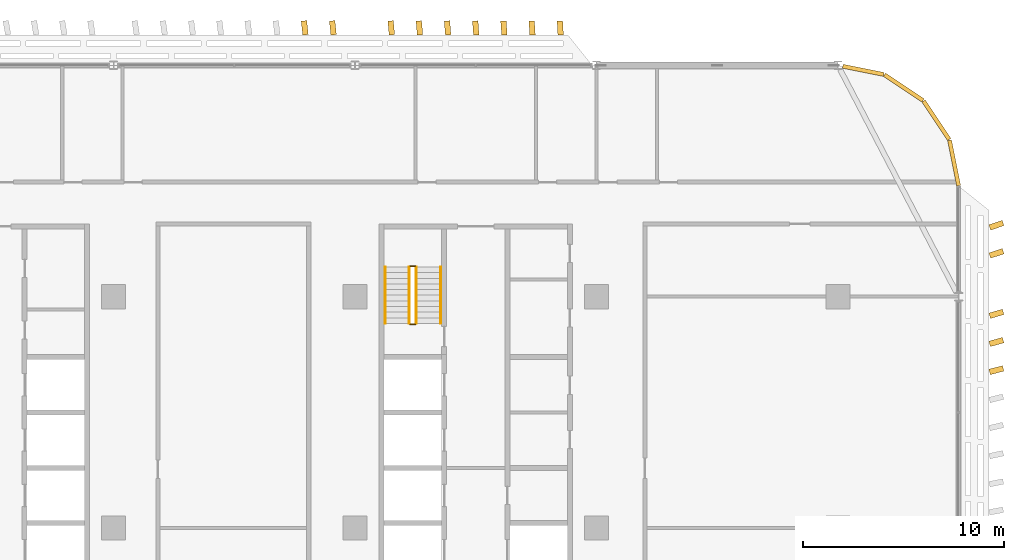
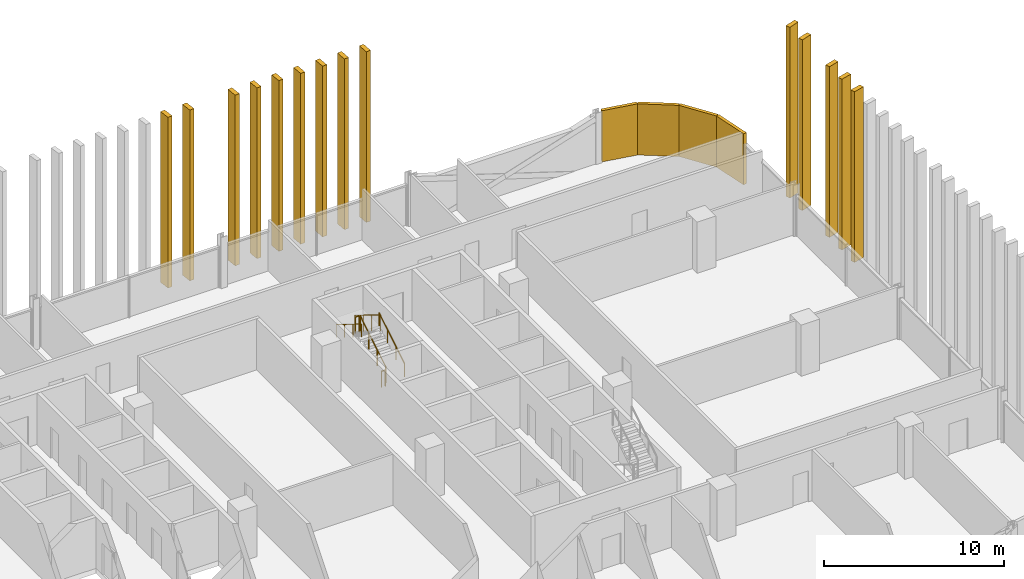
# One storey, part 28 of 28: 18 coverings, 6 railings.
"""IFC4 building model written with IfcOpenShell, lengths in metres."""

from ifc_helpers import new_model, si_unit, direction, frame, origin, origin_2d, place, context, subcontext, project, spatial, rectangle, circle, extrude, material, layer, layer_set, type_object, element, save


model = new_model("IFC4")

# Units and contexts
model_context = context("Model", 3, precision=1e-05, world=origin(), true_north=direction((0.0, 1.0)))
body_context = subcontext(model_context, "Body", "Model", "MODEL_VIEW")
ifc_project = project(units=[si_unit("LENGTHUNIT", "METRE"), si_unit("AREAUNIT", "SQUARE_METRE"), si_unit("VOLUMEUNIT", "CUBIC_METRE"), si_unit("PLANEANGLEUNIT", "RADIAN"), si_unit("MASSUNIT", "GRAM", prefix="KILO")], contexts=[model_context])

# Site, building, storey
site_placement = place(None, origin())
site = spatial("IfcSite", under=ifc_project, at=site_placement, CompositionType="ELEMENT")
building_placement = place(site_placement, origin())
building = spatial("IfcBuilding", under=site, at=building_placement, Name="Mahtab Terrace Research Tower", CompositionType="ELEMENT")
storey_placement = place(building_placement, frame((0.0, 0.0, 174.39990234375)))
storey = spatial("IfcBuildingStorey", under=building, at=storey_placement, Name="L41", CompositionType="ELEMENT", Elevation=174.39990234375)

# Coverings
ifc_material_1 = material(Name="Black aluminium cladding panel", Category="aluminium")
ifc_layer_1 = layer(ifc_material_1, 0.199951171875)
ifc_layer_set_1 = layer_set([ifc_layer_1], Name="Black metal corner cladding 200")
covering_type_1 = type_object("IfcCoveringType", Name="Black metal corner cladding 200", PredefinedType="CLADDING", material=ifc_layer_set_1)
for number, where, z_axis, x_axis, name in (
    (1, (46.89306640625, 20.26953125, 0.0), (0.0, 0.0, 1.0), (-0.555291490808, 0.831655794326, 0.0), "Corner cladding L41 0"),
    (2, (45.26953125, 21.89306640625, 0.0), (0.0, 0.0, 1.0), (-0.831655794326, 0.555291490808, 0.0), "Corner cladding L41 1"),
):
    element("IfcCovering", number, at=place(storey_placement, frame(where, z_axis=z_axis, x_axis=x_axis)), inside=storey, type_object=covering_type_1, Name=name, PredefinedType="CLADDING", context=body_context, shape_type="SweptSolid", body=[
        extrude(rectangle(XDim=2.30126953125, YDim=0.199951171875, at=origin_2d()), origin(), (0.0, 0.0, 1.0), 3.4599609375),
    ])
covering_1_placement = place(storey_placement, frame((43.25830078125, 22.74951171875, 0.0), z_axis=(0.0, 0.0, 1.0), x_axis=(-0.980760981187, 0.195212442692, 0.0)))
element("IfcCovering", 3, at=covering_1_placement, inside=storey, type_object=covering_type_1, Name="Corner cladding L41 2", PredefinedType="CLADDING", context=body_context, shape_type="SweptSolid", body=[
    extrude(rectangle(XDim=2.07666015625, YDim=0.199951171875, at=origin_2d()), origin(), (0.0, 0.0, 1.0), 3.4599609375),
])
covering_2_placement = place(storey_placement, frame((47.771484375, 18.14794921875, 0.0), z_axis=(0.0, 0.0, 1.0), x_axis=(-0.195212442692, 0.980760981187, 0.0)))
element("IfcCovering", 4, at=covering_2_placement, inside=storey, type_object=covering_type_1, Name="Corner cladding L41 38", PredefinedType="CLADDING", context=body_context, shape_type="SweptSolid", body=[
    extrude(rectangle(XDim=2.30126953125, YDim=0.199951171875, at=origin_2d()), origin(), (0.0, 0.0, 1.0), 3.4599609375),
])

# Railings
ifc_material_2 = material(Name="Stainless steel AISI 304", Category="steel")
railing_type_1 = type_object("IfcRailingType", Name="Stair guard 1100", PredefinedType="GUARDRAIL", material=ifc_material_2)
railing_1_placement = place(storey_placement, frame((21.050048828125, 10.175048828125, 0.1728515625)))
element("IfcRailing", 5, at=railing_1_placement, inside=storey, type_object=railing_type_1, Name="L41 ST3 stair guard 1", PredefinedType="GUARDRAIL", context=body_context, shape_type="SweptSolid", body=[
    extrude(circle(Radius=0.02392578125, at=origin_2d()), frame((0.0, 0.0, 1.076171875), z_axis=(0.0, 0.851089632645, 0.525020415988), x_axis=(-1.0, 0.0, 0.0)), (0.0, 0.0, 1.0), 3.2900390625),
    extrude(circle(Radius=0.02099609375, at=origin_2d()), origin(), (0.0, 0.0, 1.0), 1.052001953125),
    extrude(circle(Radius=0.02099609375, at=origin_2d()), frame((0.0, 0.933349609375, 0.57568359375)), (0.0, 0.0, 1.0), 1.052001953125),
    extrude(circle(Radius=0.02099609375, at=origin_2d()), frame((0.0, 1.86669921875, 1.151611328125)), (0.0, 0.0, 1.0), 1.052001953125),
    extrude(circle(Radius=0.02099609375, at=origin_2d()), frame((0.0, 2.800048828125, 1.727294921875)), (0.0, 0.0, 1.0), 1.052001953125),
])
railing_2_placement = place(storey_placement, frame((21.0, 13.02490234375, 1.900146484375)))
element("IfcRailing", 6, at=railing_2_placement, inside=storey, type_object=railing_type_1, Name="L41 ST3 stair guard 2", PredefinedType="GUARDRAIL", context=body_context, shape_type="SweptSolid", body=[
    extrude(circle(Radius=0.02392578125, at=origin_2d()), frame((0.0, 0.0, 1.076171875), z_axis=(-1.0, 0.0, 0.0), x_axis=(0.0, -1.0, 0.0)), (0.0, 0.0, 1.0), 0.25),
    extrude(circle(Radius=0.02099609375, at=origin_2d()), origin(), (0.0, 0.0, 1.0), 1.052001953125),
    extrude(circle(Radius=0.02099609375, at=origin_2d()), frame((-0.25, 0.0, 0.0)), (0.0, 0.0, 1.0), 1.052001953125),
])
railing_3_placement = place(storey_placement, frame((20.699951171875, 12.97509765625, 2.07275390625)))
element("IfcRailing", 7, at=railing_3_placement, inside=storey, type_object=railing_type_1, Name="L41 ST3 stair guard 3", PredefinedType="GUARDRAIL", context=body_context, shape_type="SweptSolid", body=[
    extrude(circle(Radius=0.02392578125, at=origin_2d()), frame((0.0, 0.0, 1.076171875), z_axis=(0.0, -0.851089632645, 0.525020415988), x_axis=(1.0, 0.0, 0.0)), (0.0, 0.0, 1.0), 3.2900390625),
    extrude(circle(Radius=0.02099609375, at=origin_2d()), origin(), (0.0, 0.0, 1.0), 1.052001953125),
    extrude(circle(Radius=0.02099609375, at=origin_2d()), frame((0.0, -0.933349609375, 0.57568359375)), (0.0, 0.0, 1.0), 1.052001953125),
    extrude(circle(Radius=0.02099609375, at=origin_2d()), frame((0.0, -1.86669921875, 1.151611328125)), (0.0, 0.0, 1.0), 1.052001953125),
    extrude(circle(Radius=0.02099609375, at=origin_2d()), frame((0.0, -2.800048828125, 1.727294921875)), (0.0, 0.0, 1.0), 1.052001953125),
])
railing_4_placement = place(storey_placement, frame((21.0, 10.125, 0.0)))
element("IfcRailing", 8, at=railing_4_placement, inside=storey, type_object=railing_type_1, Name="L41 ST3 stair guard 4", PredefinedType="GUARDRAIL", context=body_context, shape_type="SweptSolid", body=[
    extrude(circle(Radius=0.02392578125, at=origin_2d()), frame((0.0, 0.0, 1.076171875), z_axis=(-1.0, 0.0, 0.0), x_axis=(0.0, -1.0, 0.0)), (0.0, 0.0, 1.0), 0.25),
    extrude(circle(Radius=0.02099609375, at=origin_2d()), origin(), (0.0, 0.0, 1.0), 1.052001953125),
    extrude(circle(Radius=0.02099609375, at=origin_2d()), frame((-0.25, 0.0, 0.0)), (0.0, 0.0, 1.0), 1.052001953125),
])
railing_type_2 = type_object("IfcRailingType", Name="Stair handrail 900", PredefinedType="HANDRAIL", material=ifc_material_2)
railing_5_placement = place(storey_placement, frame((22.25, 10.175048828125, 0.1728515625)))
element("IfcRailing", 9, at=railing_5_placement, inside=storey, type_object=railing_type_2, Name="L41 ST3 stair handrail 1", PredefinedType="HANDRAIL", context=body_context, shape_type="SweptSolid", body=[
    extrude(circle(Radius=0.02392578125, at=origin_2d()), frame((0.0, 0.0, 0.8759765625), z_axis=(0.0, 0.851089632645, 0.525020415988), x_axis=(-1.0, 0.0, 0.0)), (0.0, 0.0, 1.0), 3.2900390625),
    extrude(circle(Radius=0.02099609375, at=origin_2d()), origin(), (0.0, 0.0, 1.0), 0.851806640625),
    extrude(circle(Radius=0.02099609375, at=origin_2d()), frame((0.0, 0.933349609375, 0.57568359375)), (0.0, 0.0, 1.0), 0.851806640625),
    extrude(circle(Radius=0.02099609375, at=origin_2d()), frame((0.0, 1.86669921875, 1.151611328125)), (0.0, 0.0, 1.0), 0.851806640625),
    extrude(circle(Radius=0.02099609375, at=origin_2d()), frame((0.0, 2.800048828125, 1.727294921875)), (0.0, 0.0, 1.0), 0.851806640625),
])
railing_6_placement = place(storey_placement, frame((19.5, 12.97509765625, 2.07275390625)))
element("IfcRailing", 10, at=railing_6_placement, inside=storey, type_object=railing_type_2, Name="L41 ST3 stair handrail 2", PredefinedType="HANDRAIL", context=body_context, shape_type="SweptSolid", body=[
    extrude(circle(Radius=0.02392578125, at=origin_2d()), frame((0.0, 0.0, 0.8759765625), z_axis=(0.0, -0.851089632645, 0.525020415988), x_axis=(1.0, 0.0, 0.0)), (0.0, 0.0, 1.0), 3.2900390625),
    extrude(circle(Radius=0.02099609375, at=origin_2d()), origin(), (0.0, 0.0, 1.0), 0.851806640625),
    extrude(circle(Radius=0.02099609375, at=origin_2d()), frame((0.0, -0.933349609375, 0.57568359375)), (0.0, 0.0, 1.0), 0.851806640625),
    extrude(circle(Radius=0.02099609375, at=origin_2d()), frame((0.0, -1.86669921875, 1.151611328125)), (0.0, 0.0, 1.0), 0.851806640625),
    extrude(circle(Radius=0.02099609375, at=origin_2d()), frame((0.0, -2.800048828125, 1.727294921875)), (0.0, 0.0, 1.0), 0.851806640625),
])

# Coverings
ifc_material_3 = material(Name="Bronze anodised aluminium", Category="aluminium")
ifc_layer_2 = layer(ifc_material_3, 0.1201171875)
ifc_layer_set_2 = layer_set([ifc_layer_2], Name="Vertical fin 700")
covering_type_2 = type_object("IfcCoveringType", Name="Vertical fin 700", PredefinedType="CLADDING", material=ifc_layer_set_2)
for number, where, z_axis, x_axis, name in (
    (11, (28.199951171875, 24.857421875, -0.14990234375), (0.0, 0.0, 1.0), (-0.998356138179, -0.057315105867, 0.0), "Fin L41 N1"),
    (12, (26.800048828125, 24.858154296875, -0.14990234375), (0.0, 0.0, 1.0), (-0.998005798968, -0.063122303718, 0.0), "Fin L41 N2"),
    (13, (25.39990234375, 24.85888671875, -0.14990234375), (0.0, 0.0, 1.0), (-0.997621680969, -0.068927365114, 0.0), "Fin L41 N3"),
    (14, (24.0, 24.859375, -0.14990234375), (0.0, 0.0, 1.0), (-0.997203797181, -0.074730093591, 0.0), "Fin L41 N4"),
    (15, (22.60009765625, 24.860107421875, -0.14990234375), (0.0, 0.0, 1.0), (-0.996752161751, -0.080530292716, 0.0), "Fin L41 N5"),
    (16, (21.199951171875, 24.86083984375, -0.14990234375), (0.0, 0.0, 1.0), (-0.996266789964, -0.086327766189, 0.0), "Fin L41 N6"),
    (17, (19.800048828125, 24.861328125, -0.14990234375), (0.0, 0.0, 1.0), (-0.995747698246, -0.092122317805, 0.0), "Fin L41 N7"),
    (18, (16.89990234375, 24.86279296875, -0.14990234375), (0.0, 0.0, 1.0), (-0.99456524678, -0.104115176119, 0.0), "Fin L41 N1"),
    (19, (15.5, 24.86328125, -0.14990234375), (0.0, 0.0, 1.0), (-0.993942701485, -0.109899527595, 0.0), "Fin L41 N2"),
    (20, (49.8740234375, 7.85009765625, -0.14990234375), (0.0, 0.0, 1.0), (-0.252367400013, 0.967631487401, 0.0), "Fin L41 E6"),
    (21, (49.874755859375, 9.25, -0.14990234375), (0.0, 0.0, 1.0), (-0.266248910467, 0.963904309397, 0.0), "Fin L41 E7"),
    (22, (49.875244140625, 10.64990234375, -0.14990234375), (0.0, 0.0, 1.0), (-0.280075417025, 0.959978000153, 0.0), "Fin L41 E8"),
    (23, (49.876220703125, 13.654052734375, -0.14990234375), (0.0, 0.0, 1.0), (-0.30954421136, 0.950885051525, 0.0), "Fin L41 E1"),
    (24, (49.87646484375, 15.053955078125, -0.14990234375), (0.0, 0.0, 1.0), (-0.323179122533, 0.946337812178, 0.0), "Fin L41 E2"),
):
    element("IfcCovering", number, at=place(storey_placement, frame(where, z_axis=z_axis, x_axis=x_axis)), inside=storey, type_object=covering_type_2, Name=name, PredefinedType="CLADDING", context=body_context, shape_type="SweptSolid", body=[
        extrude(rectangle(XDim=0.280029296875, YDim=0.699951171875, at=origin_2d()), origin(), (0.0, 0.0, 1.0), 11.550048828125),
    ])

save(model, "model.ifc")
